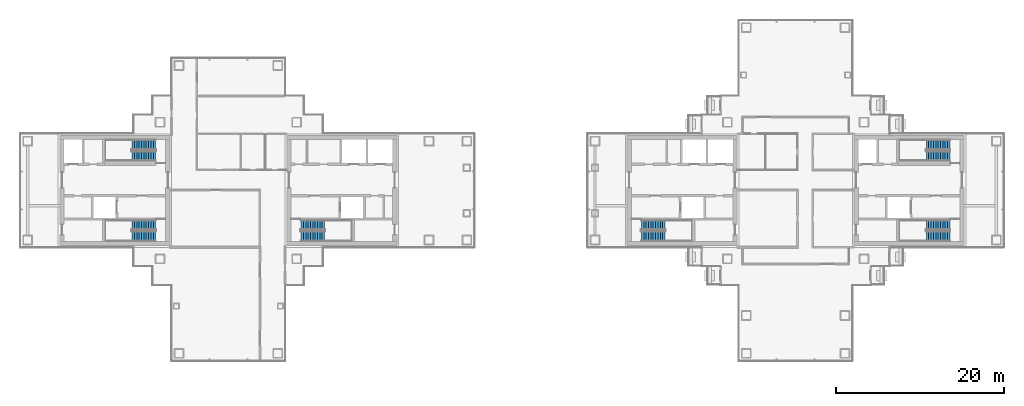
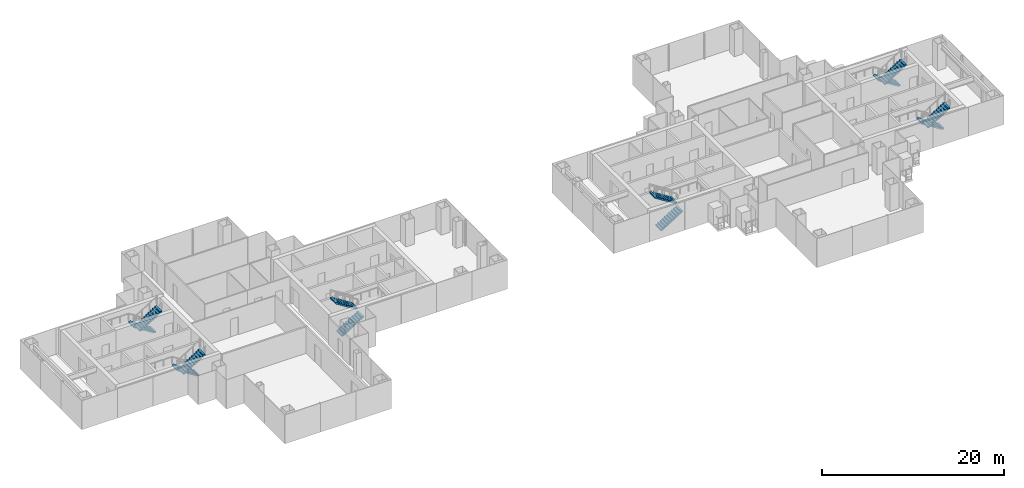
# One storey, part 13 of 16: 12 stair flights, 6 elements without a shape of their own.
"""IFC4 building model written with IfcOpenShell, lengths in metres."""

from ifc_helpers import new_model, si_unit, direction, frame, origin, place, context, subcontext, project, spatial, polyline, outline, extrude, material, type_object, element, aggregate, save


model = new_model("IFC4")

# Units and contexts
model_context = context("Model", 3, precision=1e-05, world=origin(), true_north=direction((0.0, 1.0)))
body_context = subcontext(model_context, "Body", "Model", "MODEL_VIEW")
ifc_project = project(units=[si_unit("LENGTHUNIT", "METRE"), si_unit("AREAUNIT", "SQUARE_METRE"), si_unit("VOLUMEUNIT", "CUBIC_METRE"), si_unit("PLANEANGLEUNIT", "RADIAN"), si_unit("MASSUNIT", "GRAM", prefix="KILO")], contexts=[model_context])

# Site, building, storey
site_placement = place(None, origin())
site = spatial("IfcSite", under=ifc_project, at=site_placement, CompositionType="ELEMENT")
building_placement = place(site_placement, origin())
building = spatial("IfcBuilding", under=site, at=building_placement, Name="Shamsa Quay Exchange Towers", CompositionType="ELEMENT")
storey_placement = place(building_placement, frame((0.0, 0.0, 138.89990234375)))
storey = spatial("IfcBuildingStorey", under=building, at=storey_placement, Name="L32", CompositionType="ELEMENT", Elevation=138.89990234375)

# Stair, stair flights
ifc_material = material(Name="Concrete C40/50", Category="concrete")
stair_type = type_object("IfcStairType", Name="EXIT STAIR 22 RISERS 177 MM", PredefinedType="HALF_TURN_STAIR", material=ifc_material)
stair_1_placement = place(storey_placement, origin())
stair_1 = element("IfcStair", 1, at=stair_1_placement, inside=storey, type_object=stair_type, Name="L32 Exit stair ST1", PredefinedType="HALF_TURN_STAIR")
stair_flight_type = type_object("IfcStairFlightType", Name="EXIT STAIR FLIGHT 11 RISERS 177 MM", PredefinedType="STRAIGHT", material=ifc_material)
stair_flight_1_placement = place(storey_placement, frame((-25.10009765625, -5.449951171875, 0.0)))
stair_flight_1 = element("IfcStairFlight", 2, at=stair_flight_1_placement, type_object=stair_flight_type, Name="ST1 flight 1", NumberOfRisers=11, NumberOfTreads=10, PredefinedType="STRAIGHT", RiserHeight=0.177272727, TreadLength=0.28, context=body_context, shape_type="SweptSolid", body=[
    extrude(outline(polyline([(0.0, 0.0), (0.0, 0.17724609375), (0.280029296875, 0.17724609375), (0.280029296875, 0.3544921875), (0.56005859375, 0.3544921875), (0.56005859375, 0.53173828125), (0.840087890625, 0.53173828125), (0.840087890625, 0.708984375), (1.1201171875, 0.708984375), (1.1201171875, 0.886474609375), (1.39990234375, 0.886474609375), (1.39990234375, 1.063720703125), (1.679931640625, 1.063720703125), (1.679931640625, 1.240966796875), (1.9599609375, 1.240966796875), (1.9599609375, 1.418212890625), (2.239990234375, 1.418212890625), (2.239990234375, 1.595458984375), (2.52001953125, 1.595458984375), (2.52001953125, 1.772705078125), (2.800048828125, 1.772705078125), (2.800048828125, 1.949951171875), (2.800048828125, 1.607177734375), (0.261474609375, 0.0), (0.0, 0.0)])), frame((0.0, 0.60009765625, 0.0), z_axis=(0.0, -1.0, 0.0), x_axis=(1.0, 0.0, 0.0)), (0.0, 0.0, 1.0), 1.199951171875),
])
stair_flight_2_placement = place(storey_placement, frame((-22.300048828125, -4.10009765625, 1.9501953125), z_axis=(0.0, 0.0, 1.0), x_axis=(-1.0, 0.0, 0.0)))
stair_flight_2 = element("IfcStairFlight", 3, at=stair_flight_2_placement, type_object=stair_flight_type, Name="ST1 flight 2", NumberOfRisers=11, NumberOfTreads=10, PredefinedType="STRAIGHT", RiserHeight=0.177272727, TreadLength=0.28, context=body_context, shape_type="SweptSolid", body=[
    extrude(outline(polyline([(0.0, 0.0), (0.0, 0.17724609375), (0.280029296875, 0.17724609375), (0.280029296875, 0.3544921875), (0.56005859375, 0.3544921875), (0.56005859375, 0.53173828125), (0.840087890625, 0.53173828125), (0.840087890625, 0.708984375), (1.1201171875, 0.708984375), (1.1201171875, 0.886474609375), (1.39990234375, 0.886474609375), (1.39990234375, 1.063720703125), (1.679931640625, 1.063720703125), (1.679931640625, 1.240966796875), (1.9599609375, 1.240966796875), (1.9599609375, 1.418212890625), (2.239990234375, 1.418212890625), (2.239990234375, 1.595458984375), (2.52001953125, 1.595458984375), (2.52001953125, 1.772705078125), (2.800048828125, 1.772705078125), (2.800048828125, 1.949951171875), (2.800048828125, 1.607177734375), (0.261474609375, 0.0), (0.0, 0.0)])), frame((0.0, 0.60009765625, 0.0), z_axis=(0.0, -1.0, 0.0), x_axis=(1.0, 0.0, 0.0)), (0.0, 0.0, 1.0), 1.199951171875),
])
aggregate(stair_1, [stair_flight_1, stair_flight_2])

stair_2_placement = place(storey_placement, origin())
stair_2 = element("IfcStair", 4, at=stair_2_placement, inside=storey, type_object=stair_type, Name="L32 Exit stair ST2", PredefinedType="HALF_TURN_STAIR")
stair_flight_3_placement = place(storey_placement, frame((-42.39990234375, -4.10009765625, 0.0), z_axis=(0.0, 0.0, 1.0), x_axis=(-1.0, 0.0, 0.0)))
stair_flight_3 = element("IfcStairFlight", 5, at=stair_flight_3_placement, type_object=stair_flight_type, Name="ST2 flight 1", NumberOfRisers=11, NumberOfTreads=10, PredefinedType="STRAIGHT", RiserHeight=0.177272727, TreadLength=0.28, context=body_context, shape_type="SweptSolid", body=[
    extrude(outline(polyline([(0.0, 0.0), (0.0, 0.17724609375), (0.280029296875, 0.17724609375), (0.280029296875, 0.3544921875), (0.56005859375, 0.3544921875), (0.56005859375, 0.53173828125), (0.840087890625, 0.53173828125), (0.840087890625, 0.708984375), (1.1201171875, 0.708984375), (1.1201171875, 0.886474609375), (1.39990234375, 0.886474609375), (1.39990234375, 1.063720703125), (1.679931640625, 1.063720703125), (1.679931640625, 1.240966796875), (1.9599609375, 1.240966796875), (1.9599609375, 1.418212890625), (2.239990234375, 1.418212890625), (2.239990234375, 1.595458984375), (2.52001953125, 1.595458984375), (2.52001953125, 1.772705078125), (2.800048828125, 1.772705078125), (2.800048828125, 1.949951171875), (2.800048828125, 1.607177734375), (0.261474609375, 0.0), (0.0, 0.0)])), frame((0.0, 0.60009765625, 0.0), z_axis=(0.0, -1.0, 0.0), x_axis=(1.0, 0.0, 0.0)), (0.0, 0.0, 1.0), 1.199951171875),
])
stair_flight_4_placement = place(storey_placement, frame((-45.199951171875, -5.449951171875, 1.9501953125)))
stair_flight_4 = element("IfcStairFlight", 6, at=stair_flight_4_placement, type_object=stair_flight_type, Name="ST2 flight 2", NumberOfRisers=11, NumberOfTreads=10, PredefinedType="STRAIGHT", RiserHeight=0.177272727, TreadLength=0.28, context=body_context, shape_type="SweptSolid", body=[
    extrude(outline(polyline([(0.0, 0.0), (0.0, 0.17724609375), (0.280029296875, 0.17724609375), (0.280029296875, 0.3544921875), (0.56005859375, 0.3544921875), (0.56005859375, 0.53173828125), (0.840087890625, 0.53173828125), (0.840087890625, 0.708984375), (1.1201171875, 0.708984375), (1.1201171875, 0.886474609375), (1.39990234375, 0.886474609375), (1.39990234375, 1.063720703125), (1.679931640625, 1.063720703125), (1.679931640625, 1.240966796875), (1.9599609375, 1.240966796875), (1.9599609375, 1.418212890625), (2.239990234375, 1.418212890625), (2.239990234375, 1.595458984375), (2.52001953125, 1.595458984375), (2.52001953125, 1.772705078125), (2.800048828125, 1.772705078125), (2.800048828125, 1.949951171875), (2.800048828125, 1.607177734375), (0.261474609375, 0.0), (0.0, 0.0)])), frame((0.0, 0.60009765625, 0.0), z_axis=(0.0, -1.0, 0.0), x_axis=(1.0, 0.0, 0.0)), (0.0, 0.0, 1.0), 1.199951171875),
])
aggregate(stair_2, [stair_flight_3, stair_flight_4])

stair_3_placement = place(storey_placement, origin())
stair_3 = element("IfcStair", 7, at=stair_3_placement, inside=storey, type_object=stair_type, Name="L32 Exit stair ST3", PredefinedType="HALF_TURN_STAIR")
stair_flight_5_placement = place(storey_placement, frame((-42.39990234375, 5.449951171875, 0.0), z_axis=(0.0, 0.0, 1.0), x_axis=(-1.0, 0.0, 0.0)))
stair_flight_5 = element("IfcStairFlight", 8, at=stair_flight_5_placement, type_object=stair_flight_type, Name="ST3 flight 1", NumberOfRisers=11, NumberOfTreads=10, PredefinedType="STRAIGHT", RiserHeight=0.177272727, TreadLength=0.28, context=body_context, shape_type="SweptSolid", body=[
    extrude(outline(polyline([(0.0, 0.0), (0.0, 0.17724609375), (0.280029296875, 0.17724609375), (0.280029296875, 0.3544921875), (0.56005859375, 0.3544921875), (0.56005859375, 0.53173828125), (0.840087890625, 0.53173828125), (0.840087890625, 0.708984375), (1.1201171875, 0.708984375), (1.1201171875, 0.886474609375), (1.39990234375, 0.886474609375), (1.39990234375, 1.063720703125), (1.679931640625, 1.063720703125), (1.679931640625, 1.240966796875), (1.9599609375, 1.240966796875), (1.9599609375, 1.418212890625), (2.239990234375, 1.418212890625), (2.239990234375, 1.595458984375), (2.52001953125, 1.595458984375), (2.52001953125, 1.772705078125), (2.800048828125, 1.772705078125), (2.800048828125, 1.949951171875), (2.800048828125, 1.607177734375), (0.261474609375, 0.0), (0.0, 0.0)])), frame((0.0, 0.60009765625, 0.0), z_axis=(0.0, -1.0, 0.0), x_axis=(1.0, 0.0, 0.0)), (0.0, 0.0, 1.0), 1.199951171875),
])
stair_flight_6_placement = place(storey_placement, frame((-45.199951171875, 4.10009765625, 1.9501953125)))
stair_flight_6 = element("IfcStairFlight", 9, at=stair_flight_6_placement, type_object=stair_flight_type, Name="ST3 flight 2", NumberOfRisers=11, NumberOfTreads=10, PredefinedType="STRAIGHT", RiserHeight=0.177272727, TreadLength=0.28, context=body_context, shape_type="SweptSolid", body=[
    extrude(outline(polyline([(0.0, 0.0), (0.0, 0.17724609375), (0.280029296875, 0.17724609375), (0.280029296875, 0.3544921875), (0.56005859375, 0.3544921875), (0.56005859375, 0.53173828125), (0.840087890625, 0.53173828125), (0.840087890625, 0.708984375), (1.1201171875, 0.708984375), (1.1201171875, 0.886474609375), (1.39990234375, 0.886474609375), (1.39990234375, 1.063720703125), (1.679931640625, 1.063720703125), (1.679931640625, 1.240966796875), (1.9599609375, 1.240966796875), (1.9599609375, 1.418212890625), (2.239990234375, 1.418212890625), (2.239990234375, 1.595458984375), (2.52001953125, 1.595458984375), (2.52001953125, 1.772705078125), (2.800048828125, 1.772705078125), (2.800048828125, 1.949951171875), (2.800048828125, 1.607177734375), (0.261474609375, 0.0), (0.0, 0.0)])), frame((0.0, 0.60009765625, 0.0), z_axis=(0.0, -1.0, 0.0), x_axis=(1.0, 0.0, 0.0)), (0.0, 0.0, 1.0), 1.199951171875),
])
aggregate(stair_3, [stair_flight_5, stair_flight_6])

stair_4_placement = place(storey_placement, origin())
stair_4 = element("IfcStair", 10, at=stair_4_placement, inside=storey, type_object=stair_type, Name="L32 Exit stair ST4", PredefinedType="HALF_TURN_STAIR")
stair_flight_7_placement = place(storey_placement, frame((15.39990234375, -5.449951171875, 0.0)))
stair_flight_7 = element("IfcStairFlight", 11, at=stair_flight_7_placement, type_object=stair_flight_type, Name="ST4 flight 1", NumberOfRisers=11, NumberOfTreads=10, PredefinedType="STRAIGHT", RiserHeight=0.177272727, TreadLength=0.28, context=body_context, shape_type="SweptSolid", body=[
    extrude(outline(polyline([(0.0, 0.0), (0.0, 0.17724609375), (0.280029296875, 0.17724609375), (0.280029296875, 0.3544921875), (0.56005859375, 0.3544921875), (0.56005859375, 0.53173828125), (0.840087890625, 0.53173828125), (0.840087890625, 0.708984375), (1.1201171875, 0.708984375), (1.1201171875, 0.886474609375), (1.39990234375, 0.886474609375), (1.39990234375, 1.063720703125), (1.679931640625, 1.063720703125), (1.679931640625, 1.240966796875), (1.9599609375, 1.240966796875), (1.9599609375, 1.418212890625), (2.239990234375, 1.418212890625), (2.239990234375, 1.595458984375), (2.52001953125, 1.595458984375), (2.52001953125, 1.772705078125), (2.800048828125, 1.772705078125), (2.800048828125, 1.949951171875), (2.800048828125, 1.607177734375), (0.261474609375, 0.0), (0.0, 0.0)])), frame((0.0, 0.60009765625, 0.0), z_axis=(0.0, -1.0, 0.0), x_axis=(1.0, 0.0, 0.0)), (0.0, 0.0, 1.0), 1.199951171875),
])
stair_flight_8_placement = place(storey_placement, frame((18.199951171875, -4.10009765625, 1.9501953125), z_axis=(0.0, 0.0, 1.0), x_axis=(-1.0, 0.0, 0.0)))
stair_flight_8 = element("IfcStairFlight", 12, at=stair_flight_8_placement, type_object=stair_flight_type, Name="ST4 flight 2", NumberOfRisers=11, NumberOfTreads=10, PredefinedType="STRAIGHT", RiserHeight=0.177272727, TreadLength=0.28, context=body_context, shape_type="SweptSolid", body=[
    extrude(outline(polyline([(0.0, 0.0), (0.0, 0.17724609375), (0.280029296875, 0.17724609375), (0.280029296875, 0.3544921875), (0.56005859375, 0.3544921875), (0.56005859375, 0.53173828125), (0.840087890625, 0.53173828125), (0.840087890625, 0.708984375), (1.1201171875, 0.708984375), (1.1201171875, 0.886474609375), (1.39990234375, 0.886474609375), (1.39990234375, 1.063720703125), (1.679931640625, 1.063720703125), (1.679931640625, 1.240966796875), (1.9599609375, 1.240966796875), (1.9599609375, 1.418212890625), (2.239990234375, 1.418212890625), (2.239990234375, 1.595458984375), (2.52001953125, 1.595458984375), (2.52001953125, 1.772705078125), (2.800048828125, 1.772705078125), (2.800048828125, 1.949951171875), (2.800048828125, 1.607177734375), (0.261474609375, 0.0), (0.0, 0.0)])), frame((0.0, 0.60009765625, 0.0), z_axis=(0.0, -1.0, 0.0), x_axis=(1.0, 0.0, 0.0)), (0.0, 0.0, 1.0), 1.199951171875),
])
aggregate(stair_4, [stair_flight_7, stair_flight_8])

stair_5_placement = place(storey_placement, origin())
stair_5 = element("IfcStair", 13, at=stair_5_placement, inside=storey, type_object=stair_type, Name="L32 Exit stair ST5", PredefinedType="HALF_TURN_STAIR")
stair_flight_9_placement = place(storey_placement, frame((52.10009765625, -4.10009765625, 0.0), z_axis=(0.0, 0.0, 1.0), x_axis=(-1.0, 0.0, 0.0)))
stair_flight_9 = element("IfcStairFlight", 14, at=stair_flight_9_placement, type_object=stair_flight_type, Name="ST5 flight 1", NumberOfRisers=11, NumberOfTreads=10, PredefinedType="STRAIGHT", RiserHeight=0.177272727, TreadLength=0.28, context=body_context, shape_type="SweptSolid", body=[
    extrude(outline(polyline([(0.0, 0.0), (0.0, 0.17724609375), (0.280029296875, 0.17724609375), (0.280029296875, 0.3544921875), (0.56005859375, 0.3544921875), (0.56005859375, 0.53173828125), (0.840087890625, 0.53173828125), (0.840087890625, 0.708984375), (1.1201171875, 0.708984375), (1.1201171875, 0.886474609375), (1.39990234375, 0.886474609375), (1.39990234375, 1.063720703125), (1.679931640625, 1.063720703125), (1.679931640625, 1.240966796875), (1.9599609375, 1.240966796875), (1.9599609375, 1.418212890625), (2.239990234375, 1.418212890625), (2.239990234375, 1.595458984375), (2.52001953125, 1.595458984375), (2.52001953125, 1.772705078125), (2.800048828125, 1.772705078125), (2.800048828125, 1.949951171875), (2.800048828125, 1.607177734375), (0.261474609375, 0.0), (0.0, 0.0)])), frame((0.0, 0.60009765625, 0.0), z_axis=(0.0, -1.0, 0.0), x_axis=(1.0, 0.0, 0.0)), (0.0, 0.0, 1.0), 1.199951171875),
])
stair_flight_10_placement = place(storey_placement, frame((49.300048828125, -5.449951171875, 1.9501953125)))
stair_flight_10 = element("IfcStairFlight", 15, at=stair_flight_10_placement, type_object=stair_flight_type, Name="ST5 flight 2", NumberOfRisers=11, NumberOfTreads=10, PredefinedType="STRAIGHT", RiserHeight=0.177272727, TreadLength=0.28, context=body_context, shape_type="SweptSolid", body=[
    extrude(outline(polyline([(0.0, 0.0), (0.0, 0.17724609375), (0.280029296875, 0.17724609375), (0.280029296875, 0.3544921875), (0.56005859375, 0.3544921875), (0.56005859375, 0.53173828125), (0.840087890625, 0.53173828125), (0.840087890625, 0.708984375), (1.1201171875, 0.708984375), (1.1201171875, 0.886474609375), (1.39990234375, 0.886474609375), (1.39990234375, 1.063720703125), (1.679931640625, 1.063720703125), (1.679931640625, 1.240966796875), (1.9599609375, 1.240966796875), (1.9599609375, 1.418212890625), (2.239990234375, 1.418212890625), (2.239990234375, 1.595458984375), (2.52001953125, 1.595458984375), (2.52001953125, 1.772705078125), (2.800048828125, 1.772705078125), (2.800048828125, 1.949951171875), (2.800048828125, 1.607177734375), (0.261474609375, 0.0), (0.0, 0.0)])), frame((0.0, 0.60009765625, 0.0), z_axis=(0.0, -1.0, 0.0), x_axis=(1.0, 0.0, 0.0)), (0.0, 0.0, 1.0), 1.199951171875),
])
aggregate(stair_5, [stair_flight_9, stair_flight_10])

stair_6_placement = place(storey_placement, origin())
stair_6 = element("IfcStair", 16, at=stair_6_placement, inside=storey, type_object=stair_type, Name="L32 Exit stair ST6", PredefinedType="HALF_TURN_STAIR")
stair_flight_11_placement = place(storey_placement, frame((52.10009765625, 5.449951171875, 0.0), z_axis=(0.0, 0.0, 1.0), x_axis=(-1.0, 0.0, 0.0)))
stair_flight_11 = element("IfcStairFlight", 17, at=stair_flight_11_placement, type_object=stair_flight_type, Name="ST6 flight 1", NumberOfRisers=11, NumberOfTreads=10, PredefinedType="STRAIGHT", RiserHeight=0.177272727, TreadLength=0.28, context=body_context, shape_type="SweptSolid", body=[
    extrude(outline(polyline([(0.0, 0.0), (0.0, 0.17724609375), (0.280029296875, 0.17724609375), (0.280029296875, 0.3544921875), (0.56005859375, 0.3544921875), (0.56005859375, 0.53173828125), (0.840087890625, 0.53173828125), (0.840087890625, 0.708984375), (1.1201171875, 0.708984375), (1.1201171875, 0.886474609375), (1.39990234375, 0.886474609375), (1.39990234375, 1.063720703125), (1.679931640625, 1.063720703125), (1.679931640625, 1.240966796875), (1.9599609375, 1.240966796875), (1.9599609375, 1.418212890625), (2.239990234375, 1.418212890625), (2.239990234375, 1.595458984375), (2.52001953125, 1.595458984375), (2.52001953125, 1.772705078125), (2.800048828125, 1.772705078125), (2.800048828125, 1.949951171875), (2.800048828125, 1.607177734375), (0.261474609375, 0.0), (0.0, 0.0)])), frame((0.0, 0.60009765625, 0.0), z_axis=(0.0, -1.0, 0.0), x_axis=(1.0, 0.0, 0.0)), (0.0, 0.0, 1.0), 1.199951171875),
])
stair_flight_12_placement = place(storey_placement, frame((49.300048828125, 4.10009765625, 1.9501953125)))
stair_flight_12 = element("IfcStairFlight", 18, at=stair_flight_12_placement, type_object=stair_flight_type, Name="ST6 flight 2", NumberOfRisers=11, NumberOfTreads=10, PredefinedType="STRAIGHT", RiserHeight=0.177272727, TreadLength=0.28, context=body_context, shape_type="SweptSolid", body=[
    extrude(outline(polyline([(0.0, 0.0), (0.0, 0.17724609375), (0.280029296875, 0.17724609375), (0.280029296875, 0.3544921875), (0.56005859375, 0.3544921875), (0.56005859375, 0.53173828125), (0.840087890625, 0.53173828125), (0.840087890625, 0.708984375), (1.1201171875, 0.708984375), (1.1201171875, 0.886474609375), (1.39990234375, 0.886474609375), (1.39990234375, 1.063720703125), (1.679931640625, 1.063720703125), (1.679931640625, 1.240966796875), (1.9599609375, 1.240966796875), (1.9599609375, 1.418212890625), (2.239990234375, 1.418212890625), (2.239990234375, 1.595458984375), (2.52001953125, 1.595458984375), (2.52001953125, 1.772705078125), (2.800048828125, 1.772705078125), (2.800048828125, 1.949951171875), (2.800048828125, 1.607177734375), (0.261474609375, 0.0), (0.0, 0.0)])), frame((0.0, 0.60009765625, 0.0), z_axis=(0.0, -1.0, 0.0), x_axis=(1.0, 0.0, 0.0)), (0.0, 0.0, 1.0), 1.199951171875),
])
aggregate(stair_6, [stair_flight_11, stair_flight_12])

save(model, "model.ifc")
